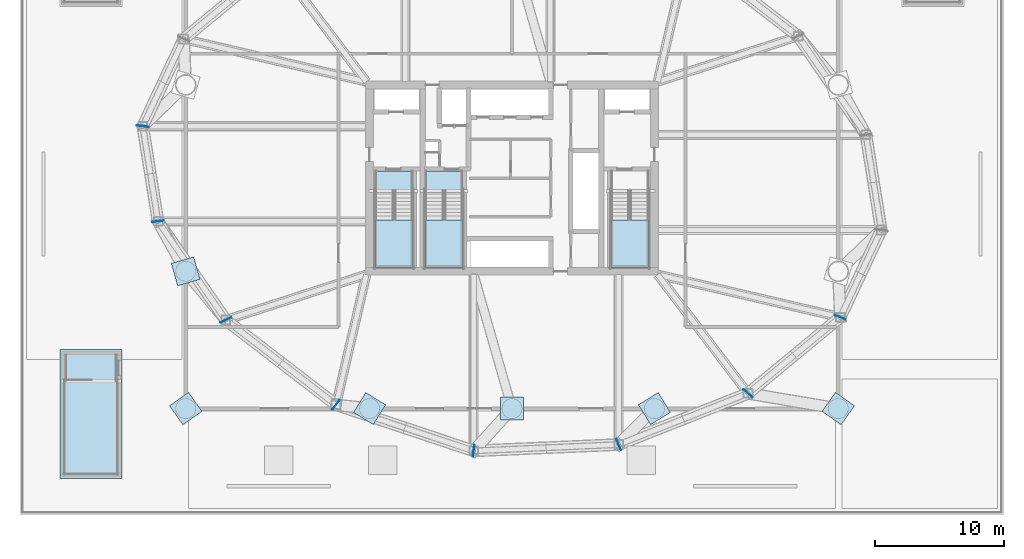
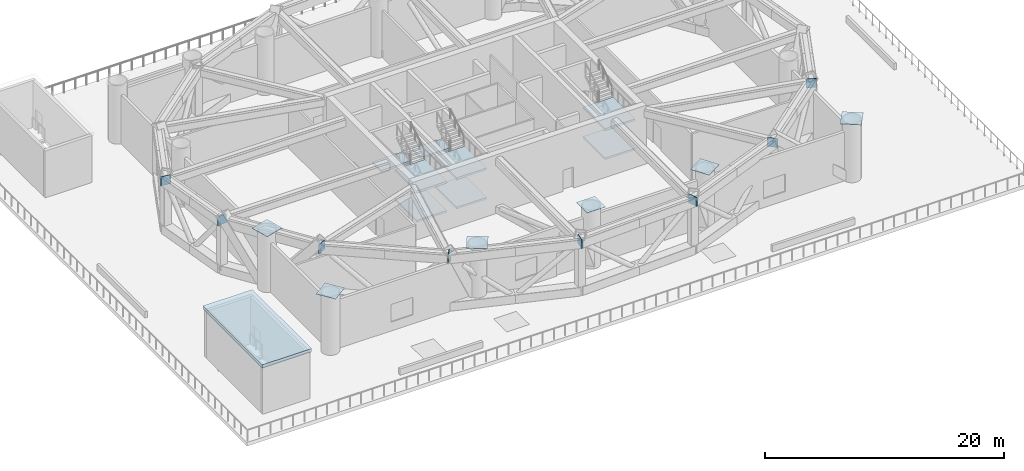
# One storey, part 4 of 14: 14 plates, 9 slabs, 3 elements without a shape of their own.
"""IFC4 building model written with IfcOpenShell, lengths in metres."""

from ifc_helpers import new_model, si_unit, direction, frame, origin, origin_2d, place, context, subcontext, project, spatial, polyline, rectangle, outline, extrude, material, layer, layer_set, type_object, element, aggregate, save


model = new_model("IFC4")

# Units and contexts
model_context = context("Model", 3, precision=1e-05, world=origin(), true_north=direction((0.0, 1.0)))
body_context = subcontext(model_context, "Body", "Model", "MODEL_VIEW")
ifc_project = project(units=[si_unit("LENGTHUNIT", "METRE"), si_unit("AREAUNIT", "SQUARE_METRE"), si_unit("VOLUMEUNIT", "CUBIC_METRE"), si_unit("PLANEANGLEUNIT", "RADIAN"), si_unit("MASSUNIT", "GRAM", prefix="KILO")], contexts=[model_context])

# Site, building, storey
site_placement = place(None, origin())
site = spatial("IfcSite", under=ifc_project, at=site_placement, CompositionType="ELEMENT")
building_placement = place(site_placement, origin())
building = spatial("IfcBuilding", under=site, at=building_placement, Name="Bramvorn Convention Spire", CompositionType="ELEMENT")
storey_placement = place(building_placement, frame((0.0, 0.0, 35.39990234375)))
storey = spatial("IfcBuildingStorey", under=building, at=storey_placement, Name="L06", CompositionType="ELEMENT", Elevation=35.39990234375)

# Plates
ifc_material_1 = material(Name="Steel CSA G40.21 Grade 350 (350W)", Category="steel")
ifc_layer_1 = layer(ifc_material_1, 0.044921875)
ifc_layer_set_1 = layer_set([ifc_layer_1], Name="Steel CSA G40.21 Grade 350 (350W) - PLT-NODE-CAP-45")
plate_type_1 = type_object("IfcPlateType", Name="PLT-NODE-CAP-45", PredefinedType="SHEET", material=ifc_layer_set_1)
for number, where, z_axis, x_axis, name in (
    (1, (12.800048828125, 8.199951171875, 6.000244140625), (0.0, 0.0, 1.0), (-0.816788171545, -0.576937676724, 0.0), "L06 CFT mega-column PR01 welded end-cap plate"),
    (2, (27.0, 8.199951171875, 6.000244140625), (0.0, 0.0, 1.0), (-0.525696357193, -0.850672287097, 0.0), "L06 CFT mega-column PR02 welded end-cap plate"),
    (3, (38.0, 8.199951171875, 6.000244140625), (0.0, 0.0, 1.0), (0.0, -1.0, 0.0), "L06 CFT mega-column PR13 welded end-cap plate"),
    (4, (49.0, 8.199951171875, 6.000244140625), (0.0, 0.0, 1.0), (0.525696357193, -0.850672287097, 0.0), "L06 CFT mega-column PR03 welded end-cap plate"),
    (5, (63.199951171875, 8.199951171875, 6.000244140625), (0.0, 0.0, 1.0), (0.816788171545, -0.576937676724, 0.0), "L06 CFT mega-column PR04 welded end-cap plate"),
    (6, (12.800048828125, 18.800048828125, 6.000244140625), (0.0, 0.0, 1.0), (-0.96152394764, -0.274721127899, 0.0), "L06 CFT mega-column PR05 welded end-cap plate"),
):
    element("IfcPlate", number, at=place(storey_placement, frame(where, z_axis=z_axis, x_axis=x_axis)), inside=storey, type_object=plate_type_1, Name=name, PredefinedType="SHEET", context=body_context, shape_type="SweptSolid", body=[
        extrude(rectangle(XDim=1.800048828125, YDim=1.800048828125, at=origin_2d()), origin(), (0.0, 0.0, 1.0), 0.044921875),
    ])
ifc_layer_2 = layer(ifc_material_1, 0.044921875)
ifc_layer_set_2 = layer_set([ifc_layer_2], Name="Steel CSA G40.21 Grade 350 (350W) - PLT-TRUSS-CAP-45")
plate_type_2 = type_object("IfcPlateType", Name="PLT-TRUSS-CAP-45", PredefinedType="SHEET", material=ifc_layer_set_2)
for number, where, z_axis, x_axis, name in (
    (7, (9.480224609375, 30.00830078125, 4.840087890625), (0.0, 0.0, 1.0), (-0.990267984726, 0.13917369876, 0.0), "Truss node TN-09 closed end-cap plate"),
    (8, (10.661376953125, 22.659912109375, 4.840087890625), (0.0, 0.0, 1.0), (-0.9926191329, -0.121273480201, 0.0), "Truss node TN-10 closed end-cap plate"),
    (9, (15.894775390625, 15.039794921875, 4.840087890625), (0.0, 0.0, 1.0), (-0.895920156137, -0.444215121115, 0.0), "Truss node TN-11 closed end-cap plate"),
    (10, (24.40966796875, 8.490966796875, 4.840087890625), (0.0, 0.0, 1.0), (-0.613158497897, -0.789959908133, 0.0), "Truss node TN-12 closed end-cap plate"),
    (11, (35.0390625, 4.93115234375, 4.840087890625), (0.0, 0.0, 1.0), (-0.139171220798, -0.990268332979, 0.0), "Truss node TN-13 closed end-cap plate"),
    (12, (46.23779296875, 5.42333984375, 4.840087890625), (0.0, 0.0, 1.0), (0.371663698417, -0.92836743549, 0.0), "Truss node TN-14 closed end-cap plate"),
    (13, (56.227783203125, 9.371337890625, 4.840087890625), (0.0, 0.0, 1.0), (0.738769458878, -0.673958223208, 0.0), "Truss node TN-15 closed end-cap plate"),
    (14, (63.35888671875, 15.253662109375, 4.840087890625), (0.0, 0.0, 1.0), (0.920738632898, -0.390179919894, 0.0), "Truss node TN-16 closed end-cap plate"),
):
    element("IfcPlate", number, at=place(storey_placement, frame(where, z_axis=z_axis, x_axis=x_axis)), inside=storey, type_object=plate_type_2, Name=name, PredefinedType="SHEET", context=body_context, shape_type="SweptSolid", body=[
        extrude(rectangle(XDim=0.919921875, YDim=0.044921875, at=origin_2d()), origin(), (0.0, 0.0, 1.0), 0.919921875),
    ])

# Slab
ifc_material_2 = material(Name="Concrete C50/60", Category="concrete")
ifc_layer_3 = layer(ifc_material_2, 0.35009765625)
ifc_layer_set_3 = layer_set([ifc_layer_3], Name="Concrete C50/60 - SLB-PLT-350")
slab_type_1 = type_object("IfcSlabType", Name="SLB-PLT-350", PredefinedType="FLOOR", material=ifc_layer_set_3)
slab_1_placement = place(storey_placement, frame((0.0, 0.0, 4.800048828125)))
element("IfcSlab", 15, at=slab_1_placement, inside=storey, type_object=slab_type_1, Name="L06 ST4 garden stair headhouse roof", PredefinedType="FLOOR", context=body_context, shape_type="SweptSolid", body=[
    extrude(outline(polyline([(3.10009765625, 2.800048828125), (7.8798828125, 2.800048828125), (7.8798828125, 12.75), (3.10009765625, 12.75), (3.10009765625, 2.800048828125)])), origin(), (0.0, 0.0, 1.0), 0.35009765625),
])

# Stair, slabs
ifc_material_3 = material(Name="Concrete C40/50 Precast Stair", Category="concrete")
stair_type = type_object("IfcStairType", Name="ST-TOWER-1550", PredefinedType="HALF_TURN_STAIR", material=ifc_material_3)
stair_1_placement = place(storey_placement, origin())
stair_1 = element("IfcStair", 16, at=stair_1_placement, inside=storey, type_object=stair_type, Name="L06 Protected Exit Stair ST1", PredefinedType="HALF_TURN_STAIR")
ifc_material_4 = material(Name="Concrete C40/50 Stair Landing", Category="concrete")
ifc_layer_4 = layer(ifc_material_4, 0.219970703125)
ifc_layer_set_4 = layer_set([ifc_layer_4], Name="Concrete C40/50 Stair Landing - SLB-STAIR-LANDING")
slab_type_2 = type_object("IfcSlabType", Name="SLB-STAIR-LANDING", PredefinedType="LANDING", material=ifc_layer_set_4)
slab_2_placement = place(storey_placement, frame((0.0, 0.0, 1.300048828125)))
slab_2 = element("IfcSlab", 17, at=slab_2_placement, type_object=slab_type_2, Name="ST1 landing 1", PredefinedType="LANDING", context=body_context, shape_type="SweptSolid", body=[
    extrude(outline(polyline([(27.449951171875, 22.77001953125), (27.449951171875, 19.10009765625), (30.35009765625, 19.10009765625), (30.35009765625, 22.77001953125), (27.449951171875, 22.77001953125)])), origin(), (0.0, 0.0, 1.0), 0.199951171875),
])
slab_3_placement = place(storey_placement, frame((0.0, 0.0, 2.800048828125)))
slab_3 = element("IfcSlab", 18, at=slab_3_placement, type_object=slab_type_2, Name="ST1 landing 2", PredefinedType="LANDING", context=body_context, shape_type="SweptSolid", body=[
    extrude(outline(polyline([(27.449951171875, 26.550048828125), (27.449951171875, 25.050048828125), (30.35009765625, 25.050048828125), (30.35009765625, 26.550048828125), (27.449951171875, 26.550048828125)])), origin(), (0.0, 0.0, 1.0), 0.199951171875),
])
slab_4_placement = place(storey_placement, frame((0.0, 0.0, 4.300048828125)))
slab_4 = element("IfcSlab", 19, at=slab_4_placement, type_object=slab_type_2, Name="ST1 landing 3", PredefinedType="LANDING", context=body_context, shape_type="SweptSolid", body=[
    extrude(outline(polyline([(27.449951171875, 22.77001953125), (27.449951171875, 19.10009765625), (30.35009765625, 19.10009765625), (30.35009765625, 22.77001953125), (27.449951171875, 22.77001953125)])), origin(), (0.0, 0.0, 1.0), 0.199951171875),
])
aggregate(stair_1, [slab_2, slab_3, slab_4])

stair_2_placement = place(storey_placement, origin())
stair_2 = element("IfcStair", 20, at=stair_2_placement, inside=storey, type_object=stair_type, Name="L06 Protected Exit Stair ST2", PredefinedType="HALF_TURN_STAIR")
slab_5_placement = place(storey_placement, frame((0.0, 0.0, 1.300048828125)))
slab_5 = element("IfcSlab", 21, at=slab_5_placement, type_object=slab_type_2, Name="ST2 landing 1", PredefinedType="LANDING", context=body_context, shape_type="SweptSolid", body=[
    extrude(outline(polyline([(45.64990234375, 22.77001953125), (45.64990234375, 19.10009765625), (48.550048828125, 19.10009765625), (48.550048828125, 22.77001953125), (45.64990234375, 22.77001953125)])), origin(), (0.0, 0.0, 1.0), 0.199951171875),
])
slab_6_placement = place(storey_placement, frame((0.0, 0.0, 4.300048828125)))
slab_6 = element("IfcSlab", 22, at=slab_6_placement, type_object=slab_type_2, Name="ST2 landing 3", PredefinedType="LANDING", context=body_context, shape_type="SweptSolid", body=[
    extrude(outline(polyline([(45.64990234375, 22.77001953125), (45.64990234375, 19.10009765625), (48.550048828125, 19.10009765625), (48.550048828125, 22.77001953125), (45.64990234375, 22.77001953125)])), origin(), (0.0, 0.0, 1.0), 0.199951171875),
])
aggregate(stair_2, [slab_5, slab_6])

stair_3_placement = place(storey_placement, origin())
stair_3 = element("IfcStair", 23, at=stair_3_placement, inside=storey, type_object=stair_type, Name="L06 Protected Exit Stair ST3", PredefinedType="HALF_TURN_STAIR")
slab_7_placement = place(storey_placement, frame((0.0, 0.0, 1.300048828125)))
slab_7 = element("IfcSlab", 24, at=slab_7_placement, type_object=slab_type_2, Name="ST3 landing 1", PredefinedType="LANDING", context=body_context, shape_type="SweptSolid", body=[
    extrude(outline(polyline([(31.300048828125, 22.77001953125), (31.300048828125, 19.10009765625), (34.199951171875, 19.10009765625), (34.199951171875, 22.77001953125), (31.300048828125, 22.77001953125)])), origin(), (0.0, 0.0, 1.0), 0.199951171875),
])
slab_8_placement = place(storey_placement, frame((0.0, 0.0, 2.800048828125)))
slab_8 = element("IfcSlab", 25, at=slab_8_placement, type_object=slab_type_2, Name="ST3 landing 2", PredefinedType="LANDING", context=body_context, shape_type="SweptSolid", body=[
    extrude(outline(polyline([(31.300048828125, 26.550048828125), (31.300048828125, 25.050048828125), (34.199951171875, 25.050048828125), (34.199951171875, 26.550048828125), (31.300048828125, 26.550048828125)])), origin(), (0.0, 0.0, 1.0), 0.199951171875),
])
slab_9_placement = place(storey_placement, frame((0.0, 0.0, 4.300048828125)))
slab_9 = element("IfcSlab", 26, at=slab_9_placement, type_object=slab_type_2, Name="ST3 landing 3", PredefinedType="LANDING", context=body_context, shape_type="SweptSolid", body=[
    extrude(outline(polyline([(31.300048828125, 22.77001953125), (31.300048828125, 19.10009765625), (34.199951171875, 19.10009765625), (34.199951171875, 22.77001953125), (31.300048828125, 22.77001953125)])), origin(), (0.0, 0.0, 1.0), 0.199951171875),
])
aggregate(stair_3, [slab_7, slab_8, slab_9])

save(model, "model.ifc")
